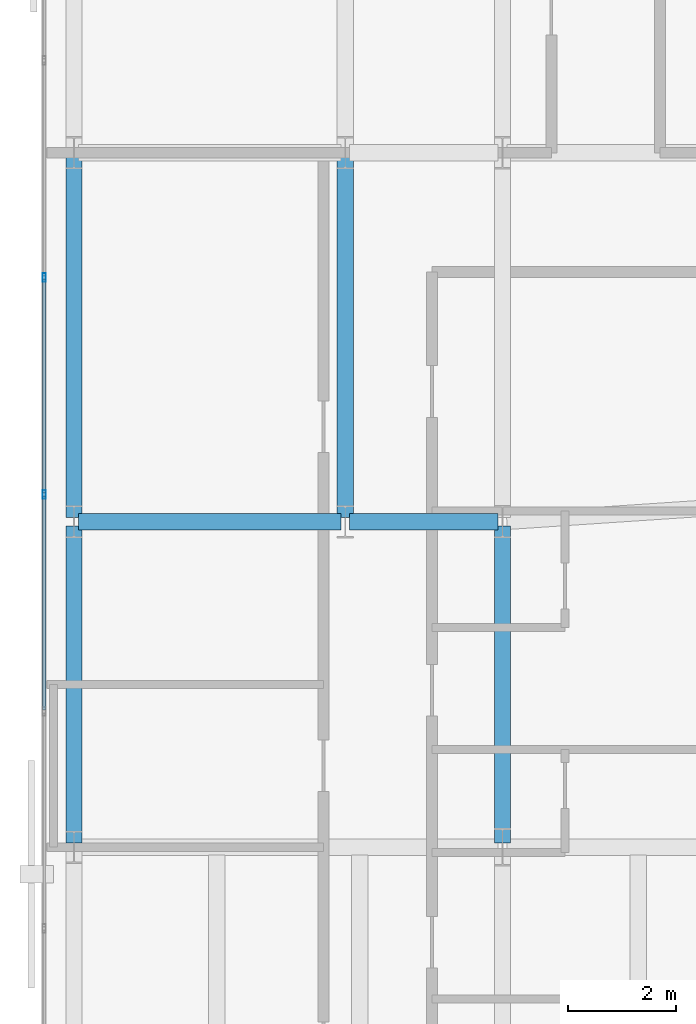
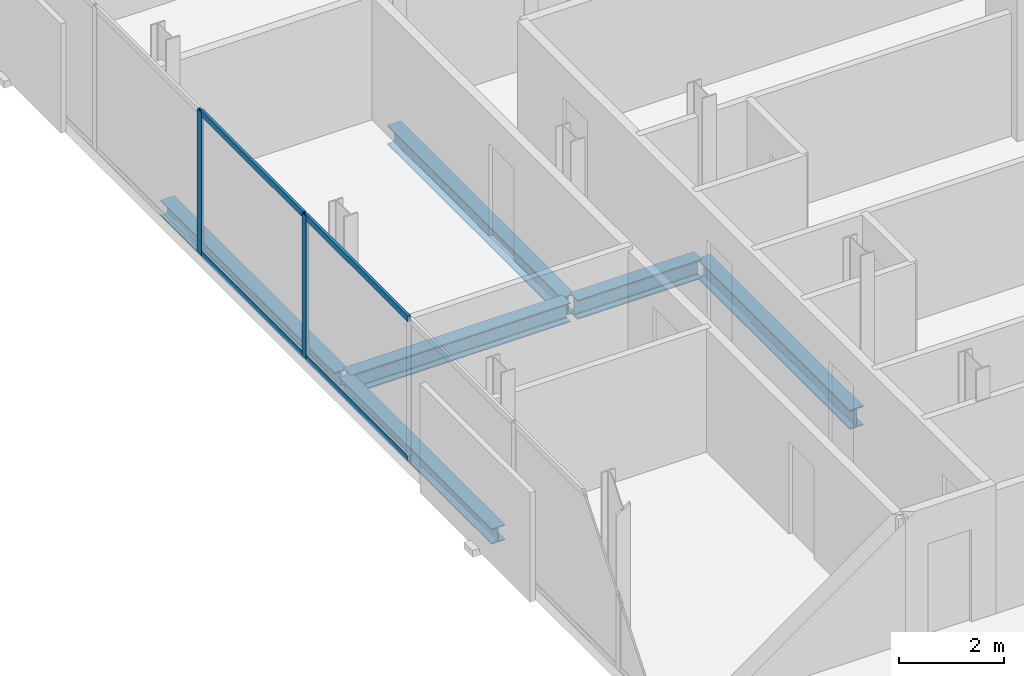
# One storey, part 9 of 32: 6 beams, 6 members, 1 element without a shape of its own.
"""IFC4 building model written with IfcOpenShell, lengths in metres."""

import ifcopenshell
import ifcopenshell.guid

model = None  # the IFC model being written
_history = None  # IfcOwnerHistory: only IFC2X3 demands one
_inside = {}  # id of a spatial element -> (the spatial element, [elements in it])
_under = {}  # id of a project, library or spatial element -> (it, [spatial elements below it])
_declared = {}  # id of a project -> (the project, [libraries it declares])
_typed = {}  # id of a type object -> (the type object, [elements of that type])
_made_of = {}  # id of a material, layer set ... -> (it, [elements and type objects made of it])


def new_model(schema):
    """Start an empty IFC model of exactly this schema.

    Asked for "IFC4X3", IfcOpenShell would pick the latest addendum, in which some entities
    have other attributes; the version numbers below select the first issue.
    IFC2X3 requires an IfcOwnerHistory on every rooted entity: one is made here for all.
    """
    global model, _history
    if schema == "IFC4X3":
        model = ifcopenshell.file(schema_version=(4, 3, 0, 0))
    else:
        model = ifcopenshell.file(schema=schema)
    _inside.clear()
    _under.clear()
    _declared.clear()
    _typed.clear()
    _made_of.clear()
    _history = None
    if model.schema == "IFC2X3":
        org = make("IfcOrganization", Name="unknown")
        user = make(
            "IfcPersonAndOrganization",
            ThePerson=make("IfcPerson", FamilyName="unknown"),
            TheOrganization=org,
        )
        app = make(
            "IfcApplication",
            ApplicationDeveloper=org,
            Version="unknown",
            ApplicationFullName="unknown",
            ApplicationIdentifier="unknown",
        )
        _history = make(
            "IfcOwnerHistory",
            OwningUser=user,
            OwningApplication=app,
            ChangeAction="ADDED",
            CreationDate=0,
        )
    return model


def make(cls, **values):
    """One entity of the class cls with the attributes given. An attribute that is None is left unset."""
    return model.create_entity(
        cls, **{name: value for name, value in values.items() if value is not None}
    )


def rooted(cls, **values):
    """An entity with a GlobalId (a new one), such as an element, a storey or a relation."""
    return make(cls, GlobalId=ifcopenshell.guid.new(), OwnerHistory=_history, **values)


def si_unit(unit_type, name, prefix=None):
    """IfcSIUnit, for example si_unit("LENGTHUNIT", "METRE", prefix="MILLI")."""
    return make("IfcSIUnit", UnitType=unit_type, Prefix=prefix, Name=name)


def assignment(units):
    """IfcUnitAssignment: the units of a project."""
    return None if units is None else make("IfcUnitAssignment", Units=units)


def point(xyz):
    """IfcCartesianPoint."""
    return None if xyz is None else make("IfcCartesianPoint", Coordinates=xyz)


def direction(xyz):
    """IfcDirection."""
    return None if xyz is None else make("IfcDirection", DirectionRatios=xyz)


def frame(location, z_axis=None, x_axis=None):
    """IfcAxis2Placement3D, a coordinate frame: its origin and axes. An axis left out is left unset."""
    return make(
        "IfcAxis2Placement3D",
        Location=point(location),
        Axis=direction(z_axis),
        RefDirection=direction(x_axis),
    )


def frame_2d(location, x_axis=None):
    """IfcAxis2Placement2D, a coordinate frame in the plane: its origin and x axis."""
    return make(
        "IfcAxis2Placement2D", Location=point(location), RefDirection=direction(x_axis)
    )


def origin():
    """The frame at (0, 0, 0) with its axes left unset."""
    return frame((0.0, 0.0, 0.0))


def origin_2d():
    """The frame at (0, 0) in the plane with its x axis left unset."""
    return frame_2d((0.0, 0.0))


def place(relative_to, where):
    """IfcLocalPlacement: puts the frame where relative to a parent placement (None: the world)."""
    return make(
        "IfcLocalPlacement", PlacementRelTo=relative_to, RelativePlacement=where
    )


def context(
    kind, dimensions, precision=None, world=None, true_north=None, identifier=None
):
    """IfcGeometricRepresentationContext, for example the 3D "Model" context."""
    return make(
        "IfcGeometricRepresentationContext",
        ContextIdentifier=identifier,
        ContextType=kind,
        CoordinateSpaceDimension=dimensions,
        Precision=precision,
        WorldCoordinateSystem=world,
        TrueNorth=true_north,
    )


def subcontext(parent, identifier, kind, view, scale=None):
    """IfcGeometricRepresentationSubContext, for example "Body" below "Model"."""
    return make(
        "IfcGeometricRepresentationSubContext",
        ContextIdentifier=identifier,
        ContextType=kind,
        ParentContext=parent,
        TargetScale=scale,
        TargetView=view,
    )


def project(units=None, contexts=None):
    """IfcProject with its units and contexts."""
    return rooted(
        "IfcProject",
        Name="project",
        RepresentationContexts=contexts,
        UnitsInContext=assignment(units),
    )


def spatial(cls, under=None, at=None, **own):
    """A site, building, storey or space (cls), placed at a placement, below another one or the project."""
    s = rooted(cls, ObjectPlacement=at, **own)
    if under is not None:
        _under.setdefault(under.id(), (under, []))[1].append(s)
    return s


def profile(cls, at=None, kind="AREA", **sizes):
    """A parametric profile (cls). Its sizes go by their IFC names, for example OverallWidth=200.0."""
    return make(cls, ProfileType=kind, Position=at, **sizes)


def hollow_rectangle(**sizes):
    """IfcRectangleHollowProfileDef."""
    return profile("IfcRectangleHollowProfileDef", **sizes)


def i_section(**sizes):
    """IfcIShapeProfileDef."""
    return profile("IfcIShapeProfileDef", **sizes)


def extrude(swept, where, along, depth):
    """IfcExtrudedAreaSolid: the profile swept, set in the frame where, extruded along a direction by depth."""
    return make(
        "IfcExtrudedAreaSolid",
        SweptArea=swept,
        Position=where,
        ExtrudedDirection=direction(along),
        Depth=depth,
    )


def shape(context_of_items, identifier, shape_type, items):
    """IfcShapeRepresentation: the items that make up one representation, for example the "Body"."""
    return make(
        "IfcShapeRepresentation",
        ContextOfItems=context_of_items,
        RepresentationIdentifier=identifier,
        RepresentationType=shape_type,
        Items=items,
    )


def material(Name=None, Category=None):
    """IfcMaterial."""
    return make("IfcMaterial", Name=Name, Category=Category)


def layer(
    of_material, thickness, ventilated=None, Name=None, Category=None, Priority=None
):
    """IfcMaterialLayer: one layer of a wall or slab, of a material (None: an air gap)."""
    return make(
        "IfcMaterialLayer",
        Material=of_material,
        LayerThickness=thickness,
        IsVentilated=ventilated,
        Name=Name,
        Category=Category,
        Priority=Priority,
    )


def layer_set(layers, Name=None):
    """IfcMaterialLayerSet."""
    return make("IfcMaterialLayerSet", MaterialLayers=layers, LayerSetName=Name)


def material_profile(
    of_material, cross_section, Name=None, Category=None, Priority=None
):
    """IfcMaterialProfile: a cross section and its material."""
    return make(
        "IfcMaterialProfile",
        Name=Name,
        Material=of_material,
        Profile=cross_section,
        Priority=Priority,
        Category=Category,
    )


def profile_set(profiles, Name=None, composite=None):
    """IfcMaterialProfileSet."""
    return make(
        "IfcMaterialProfileSet",
        Name=Name,
        MaterialProfiles=profiles,
        CompositeProfile=composite,
    )


def made_of(thing, what):
    """Note that an element or type object is made of a material, layer set ...; save() writes the relation."""
    if what is not None:
        _made_of.setdefault(what.id(), (what, []))[1].append(thing)
    return thing


def type_object(cls, material=None, **own):
    """A type object (cls), such as IfcWallType, which elements share."""
    return made_of(rooted(cls, **own), material)


def element(
    cls,
    number,
    at=None,
    inside=None,
    cuts=None,
    type_object=None,
    material=None,
    context=None,
    identifier="Body",
    shape_type=None,
    held_by="IfcProductDefinitionShape",
    body=None,
    shapes=None,
    **own,
):
    """One element of the class cls, such as IfcWall. Its Tag is "e" and its number.

    at: its placement. inside: the storey or other place that contains it. cuts: it is an
    opening in that element (IfcRelVoidsElement). A single representation is given by context,
    identifier, shape_type and body (its items); several are given by shapes. held_by: the class
    of the entity that holds the representations. save() writes the other relations.
    """
    e = rooted(cls, Tag="e%d" % number, ObjectPlacement=at, **own)
    if body is not None:
        shapes = [shape(context, identifier, shape_type, body)]
    if shapes is not None:
        e.Representation = make(held_by, Representations=shapes)
    if inside is not None:
        _inside.setdefault(inside.id(), (inside, []))[1].append(e)
    if cuts is not None:
        rooted(
            "IfcRelVoidsElement", RelatingBuildingElement=cuts, RelatedOpeningElement=e
        )
    if type_object is not None:
        _typed.setdefault(type_object.id(), (type_object, []))[1].append(e)
    return made_of(e, material)


def aggregate(whole, parts):
    """IfcRelAggregates: a whole, such as a stair, and the parts it consists of."""
    return rooted("IfcRelAggregates", RelatingObject=whole, RelatedObjects=parts)


def save(model, path):
    """Write the relations noted so far, then the file.

    IfcRelAggregates (storeys below a building ...), IfcRelContainedInSpatialStructure (elements
    in a storey), IfcRelDefinesByType, IfcRelAssociatesMaterial and IfcRelDeclares: one each for
    every whole, place, type object, material and project.
    """
    for whole, parts in _under.values():
        aggregate(whole, parts)
    for where, things in _inside.values():
        rooted(
            "IfcRelContainedInSpatialStructure",
            RelatedElements=things,
            RelatingStructure=where,
        )
    for kind, things in _typed.values():
        rooted("IfcRelDefinesByType", RelatedObjects=things, RelatingType=kind)
    for what, things in _made_of.values():
        rooted("IfcRelAssociatesMaterial", RelatedObjects=things, RelatingMaterial=what)
    for by, libraries in _declared.values():
        rooted("IfcRelDeclares", RelatingContext=by, RelatedDefinitions=libraries)
    model.write(path)


model = new_model("IFC4")

# Units and contexts
model_context = context("Model", 3, precision=1e-05, world=origin(), true_north=direction((0.0, 1.0)))
body_context = subcontext(model_context, "Body", "Model", "MODEL_VIEW")
ifc_project = project(units=[si_unit("LENGTHUNIT", "METRE"), si_unit("AREAUNIT", "SQUARE_METRE"), si_unit("VOLUMEUNIT", "CUBIC_METRE"), si_unit("PLANEANGLEUNIT", "RADIAN"), si_unit("MASSUNIT", "GRAM", prefix="KILO")], contexts=[model_context])

# Site, building, storey
site_placement = place(None, origin())
site = spatial("IfcSite", under=ifc_project, at=site_placement, CompositionType="ELEMENT")
building_placement = place(site_placement, origin())
building = spatial("IfcBuilding", under=site, at=building_placement, Name="Catumbela Crestline Tower", CompositionType="ELEMENT")
storey_placement = place(building_placement, frame((0.0, 0.0, 129.6)))
storey = spatial("IfcBuildingStorey", under=building, at=storey_placement, Name="L33", CompositionType="ELEMENT", Elevation=129.6)

# Beams
ifc_material_1 = material(Name="Structural steel S355J2", Category="steel")
ifc_material_profile_1 = material_profile(ifc_material_1, i_section(OverallWidth=0.3, OverallDepth=0.45, WebThickness=0.014, FlangeThickness=0.026, FilletRadius=0.027, at=origin_2d()), Name="HEB 450")
ifc_profile_set_1 = profile_set([ifc_material_profile_1], Name="Structural steel S355J2")
beam_type_1 = type_object("IfcBeamType", Name="BG-HEB450", PredefinedType="BEAM", material=ifc_profile_set_1)
beam_1_placement = place(storey_placement, frame((0.68, 24.0, -0.485), z_axis=(1.0, 0.0, 0.0), x_axis=(0.0, 1.0, 0.0)))
element("IfcBeam", 1, at=beam_1_placement, inside=storey, type_object=beam_type_1, Name="L33 Beam BM-L33-S01", PredefinedType="BEAM", context=body_context, shape_type="SweptSolid", body=[
    extrude(i_section(OverallWidth=0.3, OverallDepth=0.45, WebThickness=0.014, FlangeThickness=0.026, FilletRadius=0.027, at=origin_2d()), origin(), (0.0, 0.0, 1.0), 4.84),
])
beam_2_placement = place(storey_placement, frame((5.68, 24.0, -0.485), z_axis=(1.0, 0.0, 0.0), x_axis=(0.0, 1.0, 0.0)))
element("IfcBeam", 2, at=beam_2_placement, inside=storey, type_object=beam_type_1, Name="L33 Beam BM-L33-S02", PredefinedType="BEAM", context=body_context, shape_type="SweptSolid", body=[
    extrude(i_section(OverallWidth=0.3, OverallDepth=0.45, WebThickness=0.014, FlangeThickness=0.026, FilletRadius=0.027, at=origin_2d()), origin(), (0.0, 0.0, 1.0), 2.74),
])
beam_3_placement = place(storey_placement, frame((5.6, 24.08, -0.485), z_axis=(0.0, 1.0, 0.0), x_axis=(-1.0, 0.0, 0.0)))
element("IfcBeam", 3, at=beam_3_placement, inside=storey, type_object=beam_type_1, Name="L33 Beam BM-L33-SN24", PredefinedType="BEAM", context=body_context, shape_type="SweptSolid", body=[
    extrude(i_section(OverallWidth=0.3, OverallDepth=0.45, WebThickness=0.014, FlangeThickness=0.026, FilletRadius=0.027, at=origin_2d()), origin(), (0.0, 0.0, 1.0), 6.64),
])
beam_4_placement = place(storey_placement, frame((8.5, 18.08, -0.485), z_axis=(0.0, 1.0, 0.0), x_axis=(-1.0, 0.0, 0.0)))
element("IfcBeam", 4, at=beam_4_placement, inside=storey, type_object=beam_type_1, Name="L33 Beam BM-L33-WNS57", PredefinedType="BEAM", context=body_context, shape_type="SweptSolid", body=[
    extrude(i_section(OverallWidth=0.3, OverallDepth=0.45, WebThickness=0.014, FlangeThickness=0.026, FilletRadius=0.027, at=origin_2d()), origin(), (0.0, 0.0, 1.0), 5.84),
])

# Curtain wall, members
ifc_material_2 = material(Name="Aluminium alloy AW-6060-T66", Category="aluminium")
ifc_layer = layer(ifc_material_2, 0.18, Name="Aluminium alloy AW-6060-T66")
ifc_layer_set = layer_set([ifc_layer], Name="Aluminium alloy AW-6060-T66")
curtain_wall_type = type_object("IfcCurtainWallType", Name="CWU-Z2", PredefinedType="USERDEFINED", material=ifc_layer_set)
curtain_wall_placement = place(storey_placement, origin())
curtain_wall = element("IfcCurtainWall", 5, at=curtain_wall_placement, inside=storey, type_object=curtain_wall_type, Name="L33 Unitised Curtain Wall CW-L33-E9S1", ObjectType="UNITISED", PredefinedType="USERDEFINED")
ifc_material_profile_2 = material_profile(ifc_material_2, hollow_rectangle(XDim=0.06, YDim=0.16, WallThickness=0.004, at=origin_2d()), Name="ALU 160x60x4")
ifc_profile_set_2 = profile_set([ifc_material_profile_2], Name="Aluminium alloy AW-6060-T66")
member_type_1 = type_object("IfcMemberType", Name="MUL-160X60", PredefinedType="MULLION", material=ifc_profile_set_2)
member_1_placement = place(storey_placement, frame((0.05, 28.5, 0.0), z_axis=(0.0, 0.0, 1.0), x_axis=(1.0, 0.0, 0.0)))
member_1 = element("IfcMember", 6, at=member_1_placement, type_object=member_type_1, Name="CWU-Z2 mullion 5", PredefinedType="MULLION", context=body_context, shape_type="SweptSolid", body=[
    extrude(hollow_rectangle(XDim=0.06, YDim=0.16, WallThickness=0.004, at=origin_2d()), origin(), (0.0, 0.0, 1.0), 3.33),
])
member_2_placement = place(storey_placement, frame((0.05, 24.5, 0.0), z_axis=(0.0, 0.0, 1.0), x_axis=(1.0, 0.0, 0.0)))
member_2 = element("IfcMember", 7, at=member_2_placement, type_object=member_type_1, Name="CWU-Z2 mullion 6", PredefinedType="MULLION", context=body_context, shape_type="SweptSolid", body=[
    extrude(hollow_rectangle(XDim=0.06, YDim=0.16, WallThickness=0.004, at=origin_2d()), origin(), (0.0, 0.0, 1.0), 3.33),
])

# Beams
ifc_material_profile_3 = material_profile(ifc_material_1, i_section(OverallWidth=0.3, OverallDepth=0.36, WebThickness=0.0125, FlangeThickness=0.0225, FilletRadius=0.027, at=origin_2d()), Name="HEB 360")
ifc_profile_set_3 = profile_set([ifc_material_profile_3], Name="Structural steel S355J2")
beam_type_2 = type_object("IfcBeamType", Name="BS-HEB360", PredefinedType="SPANDREL", material=ifc_profile_set_3)
beam_5_placement = place(storey_placement, frame((0.6, 24.08, -0.44), z_axis=(0.0, 1.0, 0.0), x_axis=(-1.0, 0.0, 0.0)))
element("IfcBeam", 8, at=beam_5_placement, inside=storey, type_object=beam_type_2, Name="L33 Spandrel SP-L33-SN22", PredefinedType="SPANDREL", context=body_context, shape_type="SweptSolid", body=[
    extrude(i_section(OverallWidth=0.3, OverallDepth=0.36, WebThickness=0.0125, FlangeThickness=0.0225, FilletRadius=0.027, at=origin_2d()), origin(), (0.0, 0.0, 1.0), 6.64),
])
beam_6_placement = place(storey_placement, frame((0.6, 18.08, -0.44), z_axis=(0.0, 1.0, 0.0), x_axis=(-1.0, 0.0, 0.0)))
element("IfcBeam", 9, at=beam_6_placement, inside=storey, type_object=beam_type_2, Name="L33 Spandrel SP-L33-WNS54", PredefinedType="SPANDREL", context=body_context, shape_type="SweptSolid", body=[
    extrude(i_section(OverallWidth=0.3, OverallDepth=0.36, WebThickness=0.0125, FlangeThickness=0.0225, FilletRadius=0.027, at=origin_2d()), origin(), (0.0, 0.0, 1.0), 5.84),
])

# Member
ifc_material_profile_4 = material_profile(ifc_material_2, hollow_rectangle(XDim=0.06, YDim=0.14, WallThickness=0.004, at=origin_2d()), Name="ALU 140x60x4")
ifc_profile_set_4 = profile_set([ifc_material_profile_4], Name="Aluminium alloy AW-6060-T66")
member_type_2 = type_object("IfcMemberType", Name="TRN-140X60", PredefinedType="USERDEFINED", material=ifc_profile_set_4)
member_3_placement = place(storey_placement, frame((0.05, 28.4675, 0.03), z_axis=(0.0, -1.0, 0.0), x_axis=(1.0, 0.0, 0.0)))
member_3 = element("IfcMember", 10, at=member_3_placement, type_object=member_type_2, Name="CWU-Z2 transom 5.1", ObjectType="TRANSOM", PredefinedType="USERDEFINED", context=body_context, shape_type="SweptSolid", body=[
    extrude(hollow_rectangle(XDim=0.06, YDim=0.14, WallThickness=0.004, at=origin_2d()), origin(), (0.0, 0.0, 1.0), 3.935),
])

member_4_placement = place(storey_placement, frame((0.05, 28.4675, 3.3), z_axis=(0.0, -1.0, 0.0), x_axis=(1.0, 0.0, 0.0)))
member_4 = element("IfcMember", 11, at=member_4_placement, type_object=member_type_2, Name="CWU-Z2 transom 5.2", ObjectType="TRANSOM", PredefinedType="USERDEFINED", context=body_context, shape_type="SweptSolid", body=[
    extrude(hollow_rectangle(XDim=0.06, YDim=0.14, WallThickness=0.004, at=origin_2d()), origin(), (0.0, 0.0, 1.0), 3.935),
])

member_5_placement = place(storey_placement, frame((0.05, 24.4675, 0.03), z_axis=(0.0, -1.0, 0.0), x_axis=(1.0, 0.0, 0.0)))
member_5 = element("IfcMember", 12, at=member_5_placement, type_object=member_type_2, Name="CWU-Z2 transom 6.1", ObjectType="TRANSOM", PredefinedType="USERDEFINED", context=body_context, shape_type="SweptSolid", body=[
    extrude(hollow_rectangle(XDim=0.06, YDim=0.14, WallThickness=0.004, at=origin_2d()), origin(), (0.0, 0.0, 1.0), 3.935),
])

member_6_placement = place(storey_placement, frame((0.05, 24.4675, 3.3), z_axis=(0.0, -1.0, 0.0), x_axis=(1.0, 0.0, 0.0)))
member_6 = element("IfcMember", 13, at=member_6_placement, type_object=member_type_2, Name="CWU-Z2 transom 6.2", ObjectType="TRANSOM", PredefinedType="USERDEFINED", context=body_context, shape_type="SweptSolid", body=[
    extrude(hollow_rectangle(XDim=0.06, YDim=0.14, WallThickness=0.004, at=origin_2d()), origin(), (0.0, 0.0, 1.0), 3.935),
])

aggregate(curtain_wall, [member_1, member_2, member_3, member_4, member_5, member_6])

save(model, "model.ifc")
